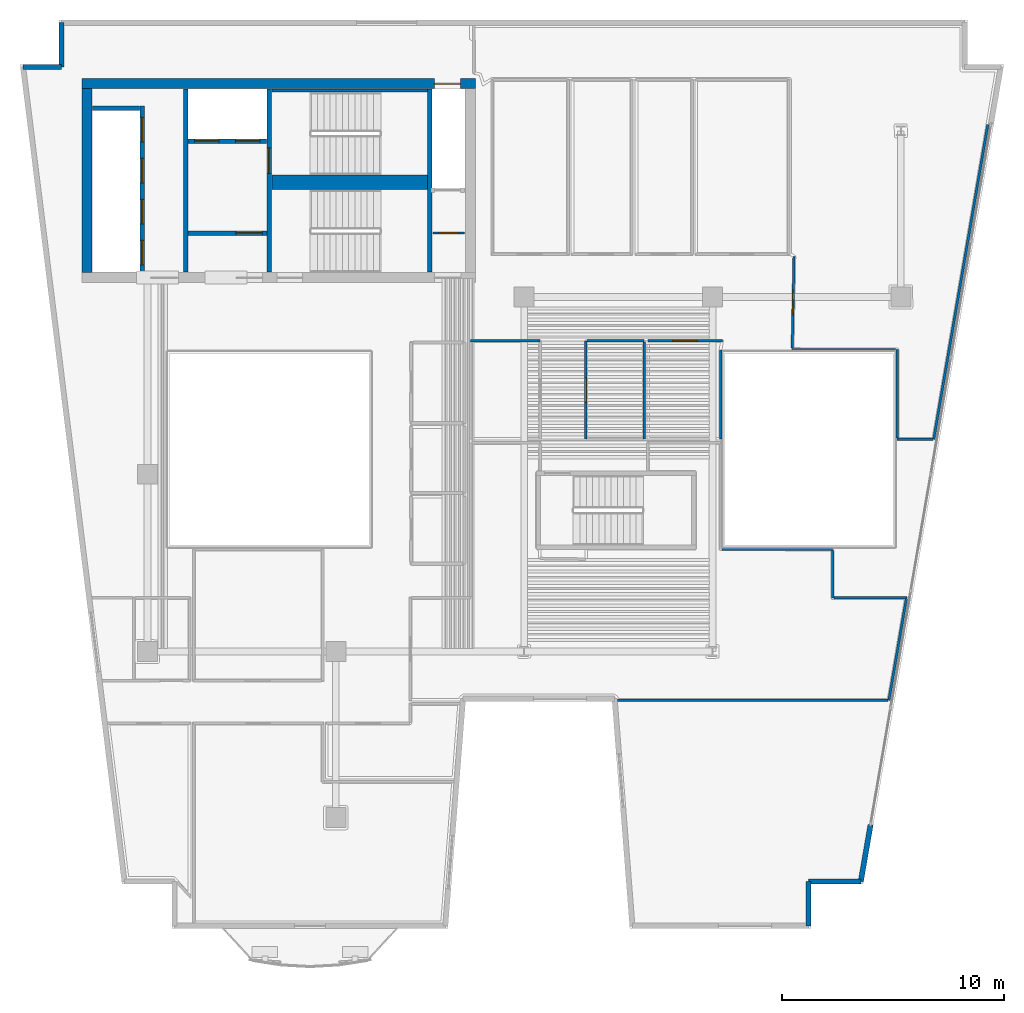
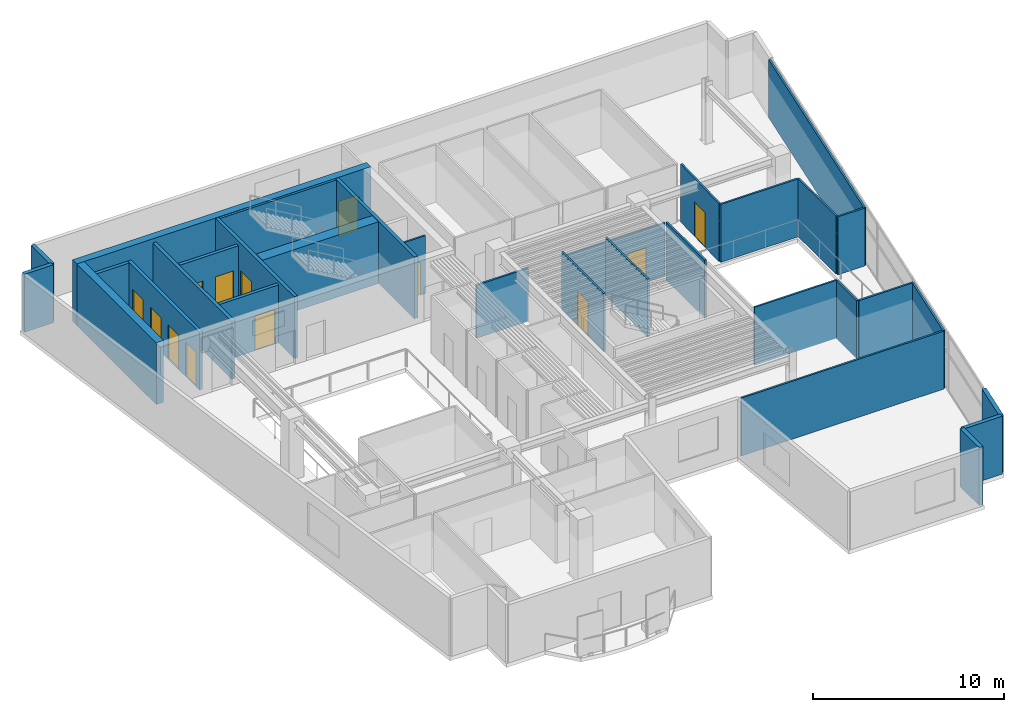
# One storey, part 5 of 10: 33 walls, 13 doors, 13 openings.
"""IFC4 building model written with IfcOpenShell, lengths in metres."""

from ifc_helpers import new_model, si_unit, direction, frame, frame_2d, origin, place, context, subcontext, project, spatial, rectangle, extrude, material, layer, layer_set, type_object, element, fill, save


model = new_model("IFC4")

# Units and contexts
model_context = context("Model", 3, precision=1e-05, world=origin(), true_north=direction((0.0, 1.0)))
body_context = subcontext(model_context, "Body", "Model", "MODEL_VIEW")
ifc_project = project(units=[si_unit("LENGTHUNIT", "METRE"), si_unit("AREAUNIT", "SQUARE_METRE"), si_unit("VOLUMEUNIT", "CUBIC_METRE"), si_unit("PLANEANGLEUNIT", "RADIAN"), si_unit("MASSUNIT", "GRAM", prefix="KILO")], contexts=[model_context])

# Site, building, storey
site_placement = place(None, origin())
site = spatial("IfcSite", under=ifc_project, at=site_placement, CompositionType="ELEMENT")
building_placement = place(site_placement, origin())
building = spatial("IfcBuilding", under=site, at=building_placement, Name="Caeloran Harvest Quay", CompositionType="ELEMENT")
storey_placement = place(building_placement, frame((0.0, 0.0, 223.25)))
storey = spatial("IfcBuildingStorey", under=building, at=storey_placement, Name="L53", CompositionType="ELEMENT", Elevation=223.25)

# Walls
ifc_material_1 = material(Name="Precast concrete C50/60", Category="concrete")
ifc_layer_1 = layer(ifc_material_1, 0.239990234375, Name="Precast concrete C50/60")
ifc_layer_set_1 = layer_set([ifc_layer_1], Name="Precast concrete C50/60")
wall_type_1 = type_object("IfcWallType", Name="ENV-WALL-EW-240", PredefinedType="STANDARD", material=ifc_layer_set_1)
wall_1_placement = place(storey_placement, frame((2.884765625, 41.3798828125, 0.0), z_axis=(0.0, 0.0, 1.0), x_axis=(1.0, 0.0, 0.0)))
element("IfcWall", 1, at=wall_1_placement, inside=storey, type_object=wall_type_1, Name="L53 Exterior Precast Concrete Facade Wall 4", PredefinedType="STANDARD", context=body_context, shape_type="SweptSolid", body=[
    extrude(rectangle(XDim=1.7353515625, YDim=0.239990234375, at=frame_2d((0.86767578125, 0.0))), origin(), (0.0, 0.0, 1.0), 3.699951171875),
])
wall_2_placement = place(storey_placement, frame((4.6201171875, 41.3798828125, 0.0), z_axis=(0.0, 0.0, 1.0), x_axis=(0.0, 1.0, 0.0)))
element("IfcWall", 2, at=wall_2_placement, inside=storey, type_object=wall_type_1, Name="L53 Exterior Precast Concrete Facade Wall 5", PredefinedType="STANDARD", context=body_context, shape_type="SweptSolid", body=[
    extrude(rectangle(XDim=2.0, YDim=0.239990234375, at=frame_2d((1.0, 0.0))), origin(), (0.0, 0.0, 1.0), 3.699951171875),
])
wall_3_placement = place(storey_placement, frame((41.135986328125, 7.182373046875, 0.0), z_axis=(0.0, 0.0, 1.0), x_axis=(-0.169315679152, -0.985561870606, 0.0)))
element("IfcWall", 3, at=wall_3_placement, inside=storey, type_object=wall_type_1, Name="L53 Exterior Facade Corner Pier Wall 9B", PredefinedType="STANDARD", context=body_context, shape_type="SweptSolid", body=[
    extrude(rectangle(XDim=2.599853515625, YDim=0.239990234375, at=frame_2d((1.2998046875, 0.0))), origin(), (0.0, 0.0, 1.0), 3.699951171875),
])
wall_4_placement = place(storey_placement, frame((40.69580078125, 4.6201171875, 0.0), z_axis=(0.0, 0.0, 1.0), x_axis=(-1.0, 0.0, 0.0)))
element("IfcWall", 4, at=wall_4_placement, inside=storey, type_object=wall_type_1, Name="L53 Exterior Precast Concrete Facade Wall 10", PredefinedType="STANDARD", context=body_context, shape_type="SweptSolid", body=[
    extrude(rectangle(XDim=2.36279296875, YDim=0.239990234375, at=frame_2d((1.181396484375, 0.0))), origin(), (0.0, 0.0, 1.0), 3.699951171875),
])
wall_5_placement = place(storey_placement, frame((38.3330078125, 4.6201171875, 0.0), z_axis=(0.0, 0.0, 1.0), x_axis=(0.0, -1.0, 0.0)))
element("IfcWall", 5, at=wall_5_placement, inside=storey, type_object=wall_type_1, Name="L53 Exterior Precast Concrete Facade Wall 11", PredefinedType="STANDARD", context=body_context, shape_type="SweptSolid", body=[
    extrude(rectangle(XDim=2.0, YDim=0.239990234375, at=frame_2d((1.0, 0.0))), origin(), (0.0, 0.0, 1.0), 3.699951171875),
])

# Wall, opening, door
ifc_material_2 = material(Name="Fire-Resisting Gypsum Core Riser Partition", Category="gypsum")
ifc_layer_2 = layer(ifc_material_2, 0.10009765625, Name="Fire-Resisting Gypsum Core Riser Partition")
ifc_layer_set_2 = layer_set([ifc_layer_2], Name="Fire-Resisting Gypsum Core Riser Partition")
wall_type_2 = type_object("IfcWallType", Name="INT-WALL-PW-100", PredefinedType="PARTITIONING", material=ifc_layer_set_2)
wall_6_placement = place(storey_placement, frame((21.3798828125, 33.889892578125, 0.0), z_axis=(0.0, 0.0, 1.0), x_axis=(1.0, 0.0, 0.0)))
wall_6 = element("IfcWall", 6, at=wall_6_placement, inside=storey, type_object=wall_type_2, Name="L53 Cleaner Store Partition Wall", PredefinedType="PARTITIONING", context=body_context, shape_type="SweptSolid", body=[
    extrude(rectangle(XDim=1.420166015625, YDim=0.10009765625, at=frame_2d((0.7099609375, 0.0))), origin(), (0.0, 0.0, 1.0), 3.699951171875),
])
opening_1_placement = place(wall_6_placement, frame((0.280029296875, 0.0, 0.0)))
opening_1 = element("IfcOpeningElement", 7, at=opening_1_placement, cuts=wall_6, Name="Opening SV-01", PredefinedType="OPENING", context=body_context, shape_type="SweptSolid", body=[
    extrude(rectangle(XDim=0.85009765625, YDim=2.10009765625, at=frame_2d((0.425048828125, 1.050048828125))), frame((0.0, 0.06005859375, 0.0), z_axis=(0.0, -1.0, 0.0), x_axis=(1.0, 0.0, 0.0)), (0.0, 0.0, 1.0), 0.1201171875),
])
ifc_material_3 = material(Name="Galvanized Painted Steel", Category="steel")
door_type_1 = type_object("IfcDoorType", Name="INTDOOR-SV-01", OperationType="NOTDEFINED", PredefinedType="DOOR", material=ifc_material_3)
door_1_placement = place(opening_1_placement, origin())
door_1 = element("IfcDoor", 8, at=door_1_placement, inside=storey, type_object=door_type_1, Name="L53 Cleaner Supply Store Access Door", OperationType="SINGLE_SWING_RIGHT", OverallHeight=2.10009765625, OverallWidth=0.85009765625, PredefinedType="DOOR", context=body_context, shape_type="SweptSolid", body=[
    extrude(rectangle(XDim=0.85009765625, YDim=2.10009765625, at=frame_2d((0.425048828125, 1.050048828125))), frame((0.0, 0.02490234375, 0.0), z_axis=(0.0, -1.0, 0.0), x_axis=(1.0, 0.0, 0.0)), (0.0, 0.0, 1.0), 0.050048828125),
])
fill(opening_1, door_1)

# Walls
ifc_material_4 = material(Name="Single-Stud Acoustic Gypsum Office Partition", Category="gypsum")
ifc_layer_3 = layer(ifc_material_4, 0.112060546875, Name="Single-Stud Acoustic Gypsum Office Partition")
ifc_layer_set_3 = layer_set([ifc_layer_3], Name="Single-Stud Acoustic Gypsum Office Partition")
wall_type_3 = type_object("IfcWallType", Name="INT-WALL-PW-112", PredefinedType="PARTITIONING", material=ifc_layer_set_3)
wall_7_placement = place(storey_placement, frame((34.430908203125, 19.6201171875, 0.0), z_axis=(0.0, 0.0, 1.0), x_axis=(1.0, 0.0, 0.0)))
element("IfcWall", 9, at=wall_7_placement, inside=storey, type_object=wall_type_3, Name="Founder Fireside Salon Lounge Partition Wall", PredefinedType="PARTITIONING", context=body_context, shape_type="SweptSolid", body=[
    extrude(rectangle(XDim=4.989013671875, YDim=0.112060546875, at=frame_2d((2.49462890625, 0.0))), origin(), (0.0, 0.0, 1.0), 3.699951171875),
])
wall_8_placement = place(storey_placement, frame((39.419921875, 19.55908203125, 0.0), z_axis=(0.0, 0.0, 1.0), x_axis=(0.0, -1.0, 0.0)))
element("IfcWall", 10, at=wall_8_placement, inside=storey, type_object=wall_type_3, Name="Founder Fireside Salon Lounge Partition Wall", PredefinedType="PARTITIONING", context=body_context, shape_type="SweptSolid", body=[
    extrude(rectangle(XDim=2.13916015625, YDim=0.112060546875, at=frame_2d((1.069580078125, 0.0))), origin(), (0.0, 0.0, 1.0), 3.699951171875),
])
wall_9_placement = place(storey_placement, frame((39.48095703125, 17.419921875, 0.0), z_axis=(0.0, 0.0, 1.0), x_axis=(1.0, 0.0, 0.0)))
element("IfcWall", 11, at=wall_9_placement, inside=storey, type_object=wall_type_3, Name="Founder Fireside Salon Lounge Partition Wall", PredefinedType="PARTITIONING", context=body_context, shape_type="SweptSolid", body=[
    extrude(rectangle(XDim=3.30810546875, YDim=0.112060546875, at=frame_2d((1.654052734375, 0.0))), origin(), (0.0, 0.0, 1.0), 3.699951171875),
])
wall_10_placement = place(storey_placement, frame((42.743408203125, 17.35888671875, 0.0), z_axis=(0.0, 0.0, 1.0), x_axis=(-0.169369588082, -0.985552607745, 0.0)))
element("IfcWall", 12, at=wall_10_placement, inside=storey, type_object=wall_type_3, Name="Founder Fireside Salon Lounge Partition Wall", PredefinedType="PARTITIONING", context=body_context, shape_type="SweptSolid", body=[
    extrude(rectangle(XDim=4.625732421875, YDim=0.112060546875, at=frame_2d((2.31298828125, 0.0))), origin(), (0.0, 0.0, 1.0), 3.699951171875),
])
wall_11_placement = place(storey_placement, frame((41.930419921875, 12.800048828125, 0.0), z_axis=(0.0, 0.0, 1.0), x_axis=(-1.0, 0.0, 0.0)))
element("IfcWall", 13, at=wall_11_placement, inside=storey, type_object=wall_type_3, Name="Founder Fireside Salon Lounge Partition Wall", PredefinedType="PARTITIONING", context=body_context, shape_type="SweptSolid", body=[
    extrude(rectangle(XDim=12.21923828125, YDim=0.112060546875, at=frame_2d((6.109619140625, 0.0))), origin(), (0.0, 0.0, 1.0), 3.699951171875),
])
wall_12_placement = place(storey_placement, frame((23.080078125, 29.02001953125, 0.0), z_axis=(0.0, 0.0, 1.0), x_axis=(1.0, 0.0, 0.0)))
element("IfcWall", 14, at=wall_12_placement, inside=storey, type_object=wall_type_3, Name="Refreshment Dining Kitchen Partition Wall", PredefinedType="PARTITIONING", context=body_context, shape_type="SweptSolid", body=[
    extrude(rectangle(XDim=3.139892578125, YDim=0.112060546875, at=frame_2d((1.56982421875, 0.0))), origin(), (0.0, 0.0, 1.0), 3.385009765625),
])

# Wall, opening, door
wall_13_placement = place(storey_placement, frame((28.280029296875, 24.580078125, 0.0), z_axis=(0.0, 0.0, 1.0), x_axis=(0.0, 1.0, 0.0)))
wall_13 = element("IfcWall", 15, at=wall_13_placement, inside=storey, type_object=wall_type_3, Name="Secure Vault Laboratory Partition Wall", PredefinedType="PARTITIONING", context=body_context, shape_type="SweptSolid", body=[
    extrude(rectangle(XDim=4.43994140625, YDim=0.112060546875, at=frame_2d((2.219970703125, 0.0))), origin(), (0.0, 0.0, 1.0), 3.699951171875),
])
opening_2_placement = place(wall_13_placement, frame((1.669921875, 0.0, 0.0)))
opening_2 = element("IfcOpeningElement", 16, at=opening_2_placement, cuts=wall_13, Name="Opening ID-04", PredefinedType="OPENING", context=body_context, shape_type="SweptSolid", body=[
    extrude(rectangle(XDim=1.10009765625, YDim=2.199951171875, at=frame_2d((0.550048828125, 1.10009765625))), frame((0.0, 0.06591796875, 0.0), z_axis=(0.0, -1.0, 0.0), x_axis=(1.0, 0.0, 0.0)), (0.0, 0.0, 1.0), 0.132080078125),
])
ifc_material_5 = material(Name="Acoustic Walnut Veneer Executive Door", Category="wood")
door_type_2 = type_object("IfcDoorType", Name="INTDOOR-ID-04", OperationType="NOTDEFINED", PredefinedType="DOOR", material=ifc_material_5)
door_2_placement = place(opening_2_placement, origin())
door_2 = element("IfcDoor", 17, at=door_2_placement, inside=storey, type_object=door_type_2, Name="Secure Vault Laboratory Access Door", OperationType="SINGLE_SWING_RIGHT", OverallHeight=2.199951171875, OverallWidth=1.10009765625, PredefinedType="DOOR", context=body_context, shape_type="SweptSolid", body=[
    extrude(rectangle(XDim=1.10009765625, YDim=2.199951171875, at=frame_2d((0.550048828125, 1.10009765625))), frame((0.0, 0.02490234375, 0.0), z_axis=(0.0, -1.0, 0.0), x_axis=(1.0, 0.0, 0.0)), (0.0, 0.0, 1.0), 0.050048828125),
])
fill(opening_2, door_2)

# Walls
wall_14_placement = place(storey_placement, frame((28.341064453125, 29.02001953125, 0.0), z_axis=(0.0, 0.0, 1.0), x_axis=(1.0, 0.0, 0.0)))
element("IfcWall", 18, at=wall_14_placement, inside=storey, type_object=wall_type_3, Name="Secure Vault Laboratory Partition Wall", PredefinedType="PARTITIONING", context=body_context, shape_type="SweptSolid", body=[
    extrude(rectangle(XDim=2.578857421875, YDim=0.112060546875, at=frame_2d((1.28955078125, 0.0))), origin(), (0.0, 0.0, 1.0), 3.385009765625),
])
wall_15_placement = place(storey_placement, frame((30.919921875, 28.958984375, 0.0), z_axis=(0.0, 0.0, 1.0), x_axis=(0.0, -1.0, 0.0)))
element("IfcWall", 19, at=wall_15_placement, inside=storey, type_object=wall_type_3, Name="Secure Vault Laboratory Partition Wall", PredefinedType="PARTITIONING", context=body_context, shape_type="SweptSolid", body=[
    extrude(rectangle(XDim=4.37890625, YDim=0.112060546875, at=frame_2d((2.189453125, 0.0))), origin(), (0.0, 0.0, 1.0), 3.699951171875),
])
wall_16_placement = place(storey_placement, frame((34.3701171875, 28.60009765625, 0.0), z_axis=(0.0, 0.0, 1.0), x_axis=(0.0, -1.0, 0.0)))
element("IfcWall", 20, at=wall_16_placement, inside=storey, type_object=wall_type_3, Name="Clean-Tech Venture Studio 9 Partition Wall", PredefinedType="PARTITIONING", context=body_context, shape_type="SweptSolid", body=[
    extrude(rectangle(XDim=4.02001953125, YDim=0.112060546875, at=frame_2d((2.010009765625, 0.0))), origin(), (0.0, 0.0, 1.0), 3.699951171875),
])

# Wall, opening, door
wall_17_placement = place(storey_placement, frame((31.080078125, 29.02001953125, 0.0), z_axis=(0.0, 0.0, 1.0), x_axis=(1.0, 0.0, 0.0)))
wall_17 = element("IfcWall", 21, at=wall_17_placement, inside=storey, type_object=wall_type_3, Name="Clean-Tech Venture Studio 9 Partition Wall", PredefinedType="PARTITIONING", context=body_context, shape_type="SweptSolid", body=[
    extrude(rectangle(XDim=3.371826171875, YDim=0.112060546875, at=frame_2d((1.68603515625, 0.0))), origin(), (0.0, 0.0, 1.0), 3.385009765625),
])
opening_3_placement = place(wall_17_placement, frame((1.135986328125, 0.0, 0.0)))
opening_3 = element("IfcOpeningElement", 22, at=opening_3_placement, cuts=wall_17, Name="Opening ID-04", PredefinedType="OPENING", context=body_context, shape_type="SweptSolid", body=[
    extrude(rectangle(XDim=1.10009765625, YDim=2.199951171875, at=frame_2d((0.550048828125, 1.10009765625))), frame((0.0, 0.06591796875, 0.0), z_axis=(0.0, -1.0, 0.0), x_axis=(1.0, 0.0, 0.0)), (0.0, 0.0, 1.0), 0.132080078125),
])
door_3_placement = place(opening_3_placement, origin())
door_3 = element("IfcDoor", 23, at=door_3_placement, inside=storey, type_object=door_type_2, Name="Clean-Tech Venture Studio 9 Access Door", OperationType="SINGLE_SWING_LEFT", OverallHeight=2.199951171875, OverallWidth=1.10009765625, PredefinedType="DOOR", context=body_context, shape_type="SweptSolid", body=[
    extrude(rectangle(XDim=1.10009765625, YDim=2.199951171875, at=frame_2d((0.550048828125, 1.10009765625))), frame((0.0, 0.02490234375, 0.0), z_axis=(0.0, -1.0, 0.0), x_axis=(1.0, 0.0, 0.0)), (0.0, 0.0, 1.0), 0.050048828125),
])
fill(opening_3, door_3)

# Walls
wall_18_placement = place(storey_placement, frame((46.424560546875, 38.777099609375, 0.0), z_axis=(0.0, 0.0, 1.0), x_axis=(-0.169429025923, -0.985542391364, 0.0)))
element("IfcWall", 24, at=wall_18_placement, inside=storey, type_object=wall_type_3, Name="Portfolio Catering Kitchen 10 Partition Wall", PredefinedType="PARTITIONING", context=body_context, shape_type="SweptSolid", body=[
    extrude(rectangle(XDim=14.4052734375, YDim=0.112060546875, at=frame_2d((7.20263671875, 0.0))), origin(), (0.0, 0.0, 1.0), 3.699951171875),
])
wall_19_placement = place(storey_placement, frame((43.95458984375, 24.580078125, 0.0), z_axis=(0.0, 0.0, 1.0), x_axis=(-1.0, 0.0, 0.0)))
element("IfcWall", 25, at=wall_19_placement, inside=storey, type_object=wall_type_3, Name="Portfolio Catering Kitchen 10 Partition Wall", PredefinedType="PARTITIONING", context=body_context, shape_type="SweptSolid", body=[
    extrude(rectangle(XDim=1.62451171875, YDim=0.112060546875, at=frame_2d((0.812255859375, 0.0))), origin(), (0.0, 0.0, 1.0), 3.699951171875),
])
wall_20_placement = place(storey_placement, frame((42.330078125, 24.64111328125, 0.0), z_axis=(0.0, 0.0, 1.0), x_axis=(0.0, 1.0, 0.0)))
element("IfcWall", 26, at=wall_20_placement, inside=storey, type_object=wall_type_3, Name="Portfolio Catering Kitchen 10 Partition Wall", PredefinedType="PARTITIONING", context=body_context, shape_type="SweptSolid", body=[
    extrude(rectangle(XDim=3.98876953125, YDim=0.112060546875, at=frame_2d((1.994384765625, 0.0))), origin(), (0.0, 0.0, 1.0), 3.699951171875),
])
wall_21_placement = place(storey_placement, frame((42.26904296875, 28.6298828125, 0.0), z_axis=(0.0, 0.0, 1.0), x_axis=(-1.0, 0.0, 0.0)))
element("IfcWall", 27, at=wall_21_placement, inside=storey, type_object=wall_type_3, Name="Portfolio Catering Kitchen 10 Partition Wall", PredefinedType="PARTITIONING", context=body_context, shape_type="SweptSolid", body=[
    extrude(rectangle(XDim=4.671142578125, YDim=0.112060546875, at=frame_2d((2.33544921875, 0.0))), origin(), (0.0, 0.0, 1.0), 3.699951171875),
])

# Wall, opening, door
wall_22_placement = place(storey_placement, frame((37.59912109375, 28.69091796875, 0.0), z_axis=(0.0, 0.0, 1.0), x_axis=(0.019566997539, 0.999808547977, 0.0)))
wall_22 = element("IfcWall", 28, at=wall_22_placement, inside=storey, type_object=wall_type_3, Name="Portfolio Catering Kitchen 10 Partition Wall", PredefinedType="PARTITIONING", context=body_context, shape_type="SweptSolid", body=[
    extrude(rectangle(XDim=4.1298828125, YDim=0.112060546875, at=frame_2d((2.06494140625, 0.0))), origin(), (0.0, 0.0, 1.0), 3.699951171875),
])
opening_4_placement = place(wall_22_placement, frame((1.514892578125, 0.0, 0.0)))
opening_4 = element("IfcOpeningElement", 29, at=opening_4_placement, cuts=wall_22, Name="Opening ID-04", PredefinedType="OPENING", context=body_context, shape_type="SweptSolid", body=[
    extrude(rectangle(XDim=1.10009765625, YDim=2.199951171875, at=frame_2d((0.550048828125, 1.10009765625))), frame((0.0, 0.06591796875, 0.0), z_axis=(0.0, -1.0, 0.0), x_axis=(1.0, 0.0, 0.0)), (0.0, 0.0, 1.0), 0.132080078125),
])
door_4_placement = place(opening_4_placement, origin())
door_4 = element("IfcDoor", 30, at=door_4_placement, inside=storey, type_object=door_type_2, Name="Portfolio Catering Kitchen 10 Access Door", OperationType="SINGLE_SWING_RIGHT", OverallHeight=2.199951171875, OverallWidth=1.10009765625, PredefinedType="DOOR", context=body_context, shape_type="SweptSolid", body=[
    extrude(rectangle(XDim=1.10009765625, YDim=2.199951171875, at=frame_2d((0.550048828125, 1.10009765625))), frame((0.0, 0.02490234375, 0.0), z_axis=(0.0, -1.0, 0.0), x_axis=(1.0, 0.0, 0.0)), (0.0, 0.0, 1.0), 0.050048828125),
])
fill(opening_4, door_4)

# Wall, openings, doors
ifc_material_6 = material(Name="Concrete C50/60", Category="concrete")
ifc_layer_4 = layer(ifc_material_6, 0.199951171875, Name="Concrete C50/60")
ifc_layer_set_4 = layer_set([ifc_layer_4], Name="Concrete C50/60")
wall_type_4 = type_object("IfcWallType", Name="INT-WALL-SW-200", PredefinedType="PARTITIONING", material=ifc_layer_set_4)
wall_23_placement = place(storey_placement, frame((8.260009765625, 32.1201171875, 0.0), z_axis=(0.0, 0.0, 1.0), x_axis=(0.0, 1.0, 0.0)))
wall_23 = element("IfcWall", 31, at=wall_23_placement, inside=storey, type_object=wall_type_4, Name="L53 Bank 3 Lift Shaft Wall", PredefinedType="PARTITIONING", context=body_context, shape_type="SweptSolid", body=[
    extrude(rectangle(XDim=7.5, YDim=0.199951171875, at=frame_2d((3.75, 0.0))), origin(), (0.0, 0.0, 1.0), 3.699951171875),
])
opening_5_placement = place(wall_23_placement, frame((0.330078125, 0.0, 0.0)))
opening_5 = element("IfcOpeningElement", 32, at=opening_5_placement, cuts=wall_23, Name="Opening LD-01", PredefinedType="OPENING", context=body_context, shape_type="SweptSolid", body=[
    extrude(rectangle(XDim=1.10009765625, YDim=2.199951171875, at=frame_2d((0.550048828125, 1.10009765625))), frame((0.0, 0.10986328125, 0.0), z_axis=(0.0, -1.0, 0.0), x_axis=(1.0, 0.0, 0.0)), (0.0, 0.0, 1.0), 0.219970703125),
])
opening_6_placement = place(wall_23_placement, frame((2.179931640625, 0.0, 0.0)))
opening_6 = element("IfcOpeningElement", 33, at=opening_6_placement, cuts=wall_23, Name="Opening LD-01", PredefinedType="OPENING", context=body_context, shape_type="SweptSolid", body=[
    extrude(rectangle(XDim=1.10009765625, YDim=2.199951171875, at=frame_2d((0.550048828125, 1.10009765625))), frame((0.0, 0.10986328125, 0.0), z_axis=(0.0, -1.0, 0.0), x_axis=(1.0, 0.0, 0.0)), (0.0, 0.0, 1.0), 0.219970703125),
])
opening_7_placement = place(wall_23_placement, frame((4.030029296875, 0.0, 0.0)))
opening_7 = element("IfcOpeningElement", 34, at=opening_7_placement, cuts=wall_23, Name="Opening LD-01", PredefinedType="OPENING", context=body_context, shape_type="SweptSolid", body=[
    extrude(rectangle(XDim=1.10009765625, YDim=2.199951171875, at=frame_2d((0.550048828125, 1.10009765625))), frame((0.0, 0.10986328125, 0.0), z_axis=(0.0, -1.0, 0.0), x_axis=(1.0, 0.0, 0.0)), (0.0, 0.0, 1.0), 0.219970703125),
])
opening_8_placement = place(wall_23_placement, frame((5.8798828125, 0.0, 0.0)))
opening_8 = element("IfcOpeningElement", 35, at=opening_8_placement, cuts=wall_23, Name="Opening LD-01", PredefinedType="OPENING", context=body_context, shape_type="SweptSolid", body=[
    extrude(rectangle(XDim=1.10009765625, YDim=2.199951171875, at=frame_2d((0.550048828125, 1.10009765625))), frame((0.0, 0.10986328125, 0.0), z_axis=(0.0, -1.0, 0.0), x_axis=(1.0, 0.0, 0.0)), (0.0, 0.0, 1.0), 0.219970703125),
])
ifc_material_7 = material(Name="Stainless Steel Grade 316", Category="steel")
door_type_3 = type_object("IfcDoorType", Name="INTDOOR-LD-01", OperationType="NOTDEFINED", PredefinedType="DOOR", material=ifc_material_7)
door_5_placement = place(opening_5_placement, origin())
door_5 = element("IfcDoor", 36, at=door_5_placement, inside=storey, type_object=door_type_3, Name="Lift P3-1 Sliding Landing Door (L53)", OperationType="DOUBLE_DOOR_SLIDING", OverallHeight=2.199951171875, OverallWidth=1.10009765625, PredefinedType="DOOR", context=body_context, shape_type="SweptSolid", body=[
    extrude(rectangle(XDim=1.10009765625, YDim=2.199951171875, at=frame_2d((0.550048828125, 1.10009765625))), frame((0.0, 0.02490234375, 0.0), z_axis=(0.0, -1.0, 0.0), x_axis=(1.0, 0.0, 0.0)), (0.0, 0.0, 1.0), 0.050048828125),
])
fill(opening_5, door_5)
door_6_placement = place(opening_6_placement, origin())
door_6 = element("IfcDoor", 37, at=door_6_placement, inside=storey, type_object=door_type_3, Name="Lift P3-2 Sliding Landing Door (L53)", OperationType="DOUBLE_DOOR_SLIDING", OverallHeight=2.199951171875, OverallWidth=1.10009765625, PredefinedType="DOOR", context=body_context, shape_type="SweptSolid", body=[
    extrude(rectangle(XDim=1.10009765625, YDim=2.199951171875, at=frame_2d((0.550048828125, 1.10009765625))), frame((0.0, 0.02490234375, 0.0), z_axis=(0.0, -1.0, 0.0), x_axis=(1.0, 0.0, 0.0)), (0.0, 0.0, 1.0), 0.050048828125),
])
fill(opening_6, door_6)
door_7_placement = place(opening_7_placement, origin())
door_7 = element("IfcDoor", 38, at=door_7_placement, inside=storey, type_object=door_type_3, Name="Lift P3-3 Sliding Landing Door (L53)", OperationType="DOUBLE_DOOR_SLIDING", OverallHeight=2.199951171875, OverallWidth=1.10009765625, PredefinedType="DOOR", context=body_context, shape_type="SweptSolid", body=[
    extrude(rectangle(XDim=1.10009765625, YDim=2.199951171875, at=frame_2d((0.550048828125, 1.10009765625))), frame((0.0, 0.02490234375, 0.0), z_axis=(0.0, -1.0, 0.0), x_axis=(1.0, 0.0, 0.0)), (0.0, 0.0, 1.0), 0.050048828125),
])
fill(opening_7, door_7)
door_8_placement = place(opening_8_placement, origin())
door_8 = element("IfcDoor", 39, at=door_8_placement, inside=storey, type_object=door_type_3, Name="Lift P3-4 Sliding Landing Door (L53)", OperationType="DOUBLE_DOOR_SLIDING", OverallHeight=2.199951171875, OverallWidth=1.10009765625, PredefinedType="DOOR", context=body_context, shape_type="SweptSolid", body=[
    extrude(rectangle(XDim=1.10009765625, YDim=2.199951171875, at=frame_2d((0.550048828125, 1.10009765625))), frame((0.0, 0.02490234375, 0.0), z_axis=(0.0, -1.0, 0.0), x_axis=(1.0, 0.0, 0.0)), (0.0, 0.0, 1.0), 0.050048828125),
])
fill(opening_8, door_8)

# Walls
wall_24_placement = place(storey_placement, frame((6.02001953125, 39.52001953125, 0.0), z_axis=(0.0, 0.0, 1.0), x_axis=(1.0, 0.0, 0.0)))
element("IfcWall", 40, at=wall_24_placement, inside=storey, type_object=wall_type_4, Name="L53 Bank 3 Lift Shaft North End Wall", PredefinedType="PARTITIONING", context=body_context, shape_type="SweptSolid", body=[
    extrude(rectangle(XDim=2.119873046875, YDim=0.199951171875, at=frame_2d((1.06005859375, 0.0))), origin(), (0.0, 0.0, 1.0), 3.699951171875),
])
wall_25_placement = place(storey_placement, frame((10.219970703125, 32.1201171875, 0.0), z_axis=(0.0, 0.0, 1.0), x_axis=(0.0, 1.0, 0.0)))
element("IfcWall", 41, at=wall_25_placement, inside=storey, type_object=wall_type_4, Name="L53 Core Lobby Compartment Wall", PredefinedType="PARTITIONING", context=body_context, shape_type="SweptSolid", body=[
    extrude(rectangle(XDim=8.259765625, YDim=0.199951171875, at=frame_2d((4.1298828125, 0.0))), origin(), (0.0, 0.0, 1.0), 3.699951171875),
])

# Wall, openings, doors
wall_26_placement = place(storey_placement, frame((10.340087890625, 38.02001953125, 0.0), z_axis=(0.0, 0.0, 1.0), x_axis=(1.0, 0.0, 0.0)))
wall_26 = element("IfcWall", 42, at=wall_26_placement, inside=storey, type_object=wall_type_4, Name="L53 Firefighting Lift Shaft Wall", PredefinedType="PARTITIONING", context=body_context, shape_type="SweptSolid", body=[
    extrude(rectangle(XDim=3.539794921875, YDim=0.199951171875, at=frame_2d((1.77001953125, 0.0))), origin(), (0.0, 0.0, 1.0), 3.699951171875),
])
opening_9_placement = place(wall_26_placement, frame((0.284912109375, 0.0, 0.0)))
opening_9 = element("IfcOpeningElement", 43, at=opening_9_placement, cuts=wall_26, Name="Opening LD-01", PredefinedType="OPENING", context=body_context, shape_type="SweptSolid", body=[
    extrude(rectangle(XDim=1.10009765625, YDim=2.199951171875, at=frame_2d((0.550048828125, 1.10009765625))), frame((0.0, 0.10986328125, 0.0), z_axis=(0.0, -1.0, 0.0), x_axis=(1.0, 0.0, 0.0)), (0.0, 0.0, 1.0), 0.219970703125),
])
opening_10_placement = place(wall_26_placement, frame((2.135009765625, 0.0, 0.0)))
opening_10 = element("IfcOpeningElement", 44, at=opening_10_placement, cuts=wall_26, Name="Opening LD-01", PredefinedType="OPENING", context=body_context, shape_type="SweptSolid", body=[
    extrude(rectangle(XDim=1.10009765625, YDim=2.199951171875, at=frame_2d((0.550048828125, 1.10009765625))), frame((0.0, 0.10986328125, 0.0), z_axis=(0.0, -1.0, 0.0), x_axis=(1.0, 0.0, 0.0)), (0.0, 0.0, 1.0), 0.219970703125),
])
door_9_placement = place(opening_9_placement, origin())
door_9 = element("IfcDoor", 45, at=door_9_placement, inside=storey, type_object=door_type_3, Name="Lift FF-1 Sliding Landing Door (L53)", OperationType="DOUBLE_DOOR_SLIDING", OverallHeight=2.199951171875, OverallWidth=1.10009765625, PredefinedType="DOOR", context=body_context, shape_type="SweptSolid", body=[
    extrude(rectangle(XDim=1.10009765625, YDim=2.199951171875, at=frame_2d((0.550048828125, 1.10009765625))), frame((0.0, 0.02490234375, 0.0), z_axis=(0.0, -1.0, 0.0), x_axis=(1.0, 0.0, 0.0)), (0.0, 0.0, 1.0), 0.050048828125),
])
fill(opening_9, door_9)
door_10_placement = place(opening_10_placement, origin())
door_10 = element("IfcDoor", 46, at=door_10_placement, inside=storey, type_object=door_type_3, Name="Lift FF-2 Sliding Landing Door (L53)", OperationType="DOUBLE_DOOR_SLIDING", OverallHeight=2.199951171875, OverallWidth=1.10009765625, PredefinedType="DOOR", context=body_context, shape_type="SweptSolid", body=[
    extrude(rectangle(XDim=1.10009765625, YDim=2.199951171875, at=frame_2d((0.550048828125, 1.10009765625))), frame((0.0, 0.02490234375, 0.0), z_axis=(0.0, -1.0, 0.0), x_axis=(1.0, 0.0, 0.0)), (0.0, 0.0, 1.0), 0.050048828125),
])
fill(opening_10, door_10)

# Wall, opening, door
wall_27_placement = place(storey_placement, frame((10.340087890625, 33.8798828125, 0.0), z_axis=(0.0, 0.0, 1.0), x_axis=(1.0, 0.0, 0.0)))
wall_27 = element("IfcWall", 47, at=wall_27_placement, inside=storey, type_object=wall_type_4, Name="L53 Firefighting Lift Lobby Enclosure Wall", PredefinedType="PARTITIONING", context=body_context, shape_type="SweptSolid", body=[
    extrude(rectangle(XDim=3.559814453125, YDim=0.199951171875, at=frame_2d((1.77978515625, 0.0))), origin(), (0.0, 0.0, 1.0), 3.699951171875),
])
opening_11_placement = place(wall_27_placement, frame((2.14990234375, 0.0, 0.0)))
opening_11 = element("IfcOpeningElement", 48, at=opening_11_placement, cuts=wall_27, Name="Opening FD-01", PredefinedType="OPENING", context=body_context, shape_type="SweptSolid", body=[
    extrude(rectangle(XDim=1.199951171875, YDim=2.199951171875, at=frame_2d((0.60009765625, 1.10009765625))), frame((0.0, 0.10986328125, 0.0), z_axis=(0.0, -1.0, 0.0), x_axis=(1.0, 0.0, 0.0)), (0.0, 0.0, 1.0), 0.219970703125),
])
ifc_material_8 = material(Name="Steel", Category="steel")
door_type_4 = type_object("IfcDoorType", Name="INTDOOR-FD-01", OperationType="NOTDEFINED", PredefinedType="DOOR", material=ifc_material_8)
door_11_placement = place(opening_11_placement, origin())
door_11 = element("IfcDoor", 49, at=door_11_placement, inside=storey, type_object=door_type_4, Name="L53 Firefighting Lift Lobby Smoke-Seal Fire Door", OperationType="SINGLE_SWING_LEFT", OverallHeight=2.199951171875, OverallWidth=1.199951171875, PredefinedType="DOOR", context=body_context, shape_type="SweptSolid", body=[
    extrude(rectangle(XDim=1.199951171875, YDim=2.199951171875, at=frame_2d((0.60009765625, 1.10009765625))), frame((0.0, 0.02490234375, 0.0), z_axis=(0.0, -1.0, 0.0), x_axis=(1.0, 0.0, 0.0)), (0.0, 0.0, 1.0), 0.050048828125),
])
fill(opening_11, door_11)

ifc_material_9 = material(Name="Concrete C60/75", Category="concrete")
ifc_layer_5 = layer(ifc_material_9, 0.449951171875, Name="Concrete C60/75")
ifc_layer_set_5 = layer_set([ifc_layer_5], Name="Concrete C60/75")
wall_type_5 = type_object("IfcWallType", Name="STR-WALL-CW-450", PredefinedType="SHEAR", material=ifc_layer_set_5)
wall_28_placement = place(storey_placement, frame((5.550048828125, 40.625, 0.0), z_axis=(0.0, 0.0, 1.0), x_axis=(1.0, 0.0, 0.0)))
wall_28 = element("IfcWall", 50, at=wall_28_placement, inside=storey, type_object=wall_type_5, Name="L53 Rear Core Shear Wall N", PredefinedType="SHEAR", context=body_context, shape_type="SweptSolid", body=[
    extrude(rectangle(XDim=17.75, YDim=0.449951171875, at=frame_2d((8.875, 0.0))), origin(), (0.0, 0.0, 1.0), 3.949951171875),
])
opening_12_placement = place(wall_28_placement, frame((15.89501953125, 0.0, 0.0)))
opening_12 = element("IfcOpeningElement", 51, at=opening_12_placement, cuts=wall_28, Name="Opening LD-02", PredefinedType="OPENING", context=body_context, shape_type="SweptSolid", body=[
    extrude(rectangle(XDim=1.179931640625, YDim=2.25, at=frame_2d((0.58984375, 1.125))), frame((0.0, 0.23486328125, 0.0), z_axis=(0.0, -1.0, 0.0), x_axis=(1.0, 0.0, 0.0)), (0.0, 0.0, 1.0), 0.469970703125),
])
door_type_5 = type_object("IfcDoorType", Name="INTDOOR-LD-02", OperationType="NOTDEFINED", PredefinedType="DOOR", material=ifc_material_7)
door_12_placement = place(opening_12_placement, origin())
door_12 = element("IfcDoor", 52, at=door_12_placement, inside=storey, type_object=door_type_5, Name="Lift SV-1 Sliding Landing Door (L53)", OperationType="DOUBLE_DOOR_SLIDING", OverallHeight=2.25, OverallWidth=1.179931640625, PredefinedType="DOOR", context=body_context, shape_type="SweptSolid", body=[
    extrude(rectangle(XDim=1.179931640625, YDim=2.25, at=frame_2d((0.58984375, 1.125))), frame((0.0, 0.02490234375, 0.0), z_axis=(0.0, -1.0, 0.0), x_axis=(1.0, 0.0, 0.0)), (0.0, 0.0, 1.0), 0.050048828125),
])
fill(opening_12, door_12)

# Walls
wall_29_placement = place(storey_placement, frame((5.77490234375, 32.10009765625, 0.0), z_axis=(0.0, 0.0, 1.0), x_axis=(0.0, 1.0, 0.0)))
element("IfcWall", 53, at=wall_29_placement, inside=storey, type_object=wall_type_5, Name="L53 Rear Core Shear Wall W", PredefinedType="SHEAR", context=body_context, shape_type="SweptSolid", body=[
    extrude(rectangle(XDim=8.2998046875, YDim=0.449951171875, at=frame_2d((4.14990234375, 0.0))), origin(), (0.0, 0.0, 1.0), 3.949951171875),
])
ifc_layer_6 = layer(ifc_material_9, 0.64990234375, Name="Concrete C60/75")
ifc_layer_set_6 = layer_set([ifc_layer_6], Name="Concrete C60/75")
wall_type_6 = type_object("IfcWallType", Name="STR-WALL-CW-650", PredefinedType="SHEAR", material=ifc_layer_set_6)
wall_30_placement = place(storey_placement, frame((14.1201171875, 36.175048828125, 0.0), z_axis=(0.0, 0.0, 1.0), x_axis=(1.0, 0.0, 0.0)))
element("IfcWall", 54, at=wall_30_placement, inside=storey, type_object=wall_type_6, Name="L53 Core Stairs Dividing Shear Wall", PredefinedType="SHEAR", context=body_context, shape_type="SweptSolid", body=[
    extrude(rectangle(XDim=7.009765625, YDim=0.64990234375, at=frame_2d((3.5048828125, 0.0))), origin(), (0.0, 0.0, 1.0), 3.949951171875),
])
ifc_layer_7 = layer(ifc_material_9, 0.139892578125, Name="Concrete C60/75")
ifc_layer_set_7 = layer_set([ifc_layer_7], Name="Concrete C60/75")
wall_type_7 = type_object("IfcWallType", Name="STR-WALL-SW-140", PredefinedType="SHEAR", material=ifc_layer_set_7)
wall_31_placement = place(storey_placement, frame((14.1201171875, 40.320068359375, 0.0), z_axis=(0.0, 0.0, 1.0), x_axis=(1.0, 0.0, 0.0)))
element("IfcWall", 55, at=wall_31_placement, inside=storey, type_object=wall_type_7, Name="L53 Core Stair ST-C1 North Bearing Shear Wall", PredefinedType="SHEAR", context=body_context, shape_type="SweptSolid", body=[
    extrude(rectangle(XDim=7.009765625, YDim=0.139892578125, at=frame_2d((3.5048828125, 0.0))), origin(), (0.0, 0.0, 1.0), 3.949951171875),
])

# Wall, opening, door
ifc_layer_8 = layer(ifc_material_9, 0.199951171875, Name="Concrete C60/75")
ifc_layer_set_8 = layer_set([ifc_layer_8], Name="Concrete C60/75")
wall_type_8 = type_object("IfcWallType", Name="STR-WALL-SW-200", PredefinedType="SHEAR", material=ifc_layer_set_8)
wall_32_placement = place(storey_placement, frame((14.0, 32.1201171875, 0.0), z_axis=(0.0, 0.0, 1.0), x_axis=(0.0, 1.0, 0.0)))
wall_32 = element("IfcWall", 56, at=wall_32_placement, inside=storey, type_object=wall_type_8, Name="L53 Core Stair Shaft West Shear Wall", PredefinedType="SHEAR", context=body_context, shape_type="SweptSolid", body=[
    extrude(rectangle(XDim=8.259765625, YDim=0.199951171875, at=frame_2d((4.1298828125, 0.0))), origin(), (0.0, 0.0, 1.0), 3.949951171875),
])
opening_13_placement = place(wall_32_placement, frame((4.4599609375, 0.0, 0.0)))
opening_13 = element("IfcOpeningElement", 57, at=opening_13_placement, cuts=wall_32, Name="Opening SD-01", PredefinedType="OPENING", context=body_context, shape_type="SweptSolid", body=[
    extrude(rectangle(XDim=1.14990234375, YDim=2.199951171875, at=frame_2d((0.574951171875, 1.10009765625))), frame((0.0, 0.10986328125, 0.0), z_axis=(0.0, -1.0, 0.0), x_axis=(1.0, 0.0, 0.0)), (0.0, 0.0, 1.0), 0.219970703125),
])
door_type_6 = type_object("IfcDoorType", Name="INTDOOR-SD-01", OperationType="NOTDEFINED", PredefinedType="DOOR", material=ifc_material_8)
door_13_placement = place(opening_13_placement, origin())
door_13 = element("IfcDoor", 58, at=door_13_placement, inside=storey, type_object=door_type_6, Name="L53 Protected Stair ST-C1 Exit Door", OperationType="SINGLE_SWING_LEFT", OverallHeight=2.199951171875, OverallWidth=1.14990234375, PredefinedType="DOOR", context=body_context, shape_type="SweptSolid", body=[
    extrude(rectangle(XDim=1.14990234375, YDim=2.199951171875, at=frame_2d((0.574951171875, 1.10009765625))), frame((0.0, 0.02490234375, 0.0), z_axis=(0.0, -1.0, 0.0), x_axis=(1.0, 0.0, 0.0)), (0.0, 0.0, 1.0), 0.050048828125),
])
fill(opening_13, door_13)

# Wall
wall_33_placement = place(storey_placement, frame((21.25, 32.1201171875, 0.0), z_axis=(0.0, 0.0, 1.0), x_axis=(0.0, 1.0, 0.0)))
element("IfcWall", 59, at=wall_33_placement, inside=storey, type_object=wall_type_8, Name="L53 Core Stair Shaft East Shear Wall", PredefinedType="SHEAR", context=body_context, shape_type="SweptSolid", body=[
    extrude(rectangle(XDim=8.259765625, YDim=0.199951171875, at=frame_2d((4.1298828125, 0.0))), origin(), (0.0, 0.0, 1.0), 3.949951171875),
])

save(model, "model.ifc")
